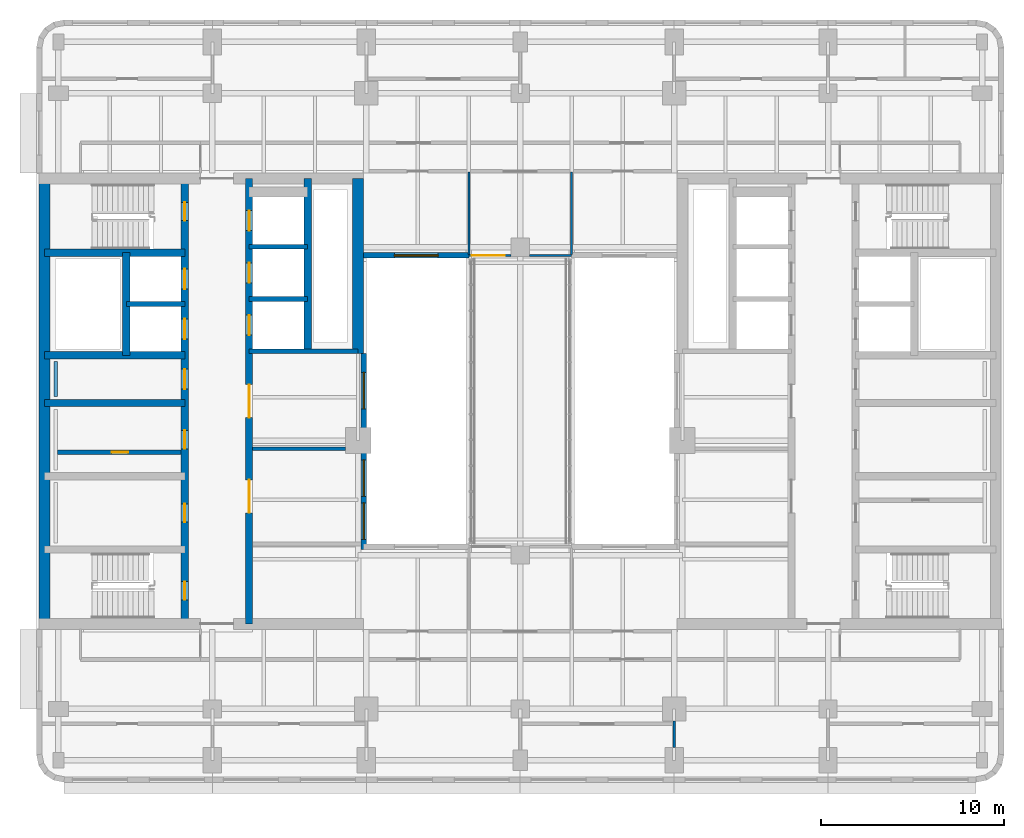
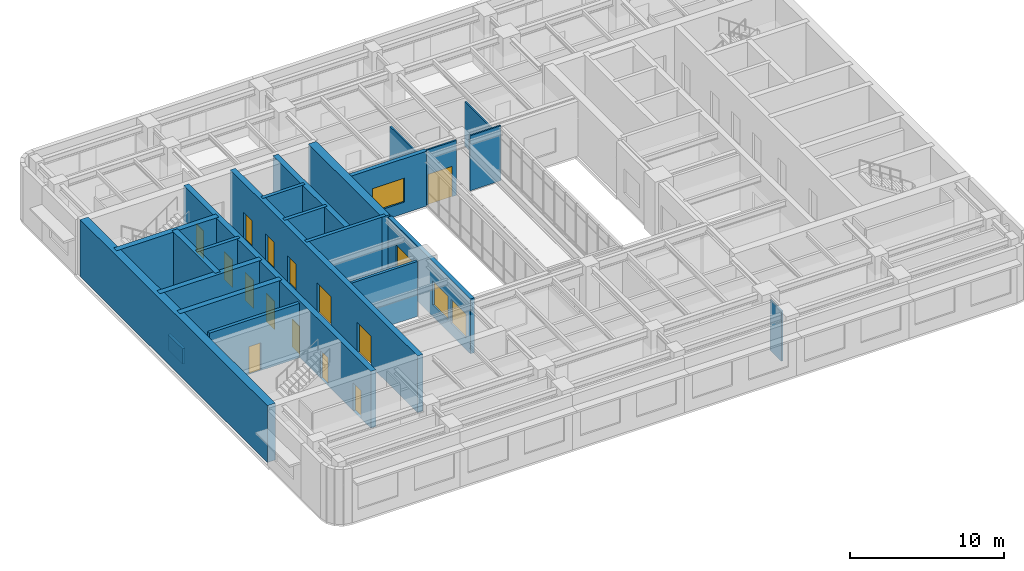
# One storey, part 7 of 14: 23 walls, 14 doors, 4 windows, 18 openings.
"""IFC4 building model written with IfcOpenShell, lengths in metres."""

from ifc_helpers import new_model, si_unit, direction, frame, frame_2d, origin, place, context, subcontext, project, spatial, rectangle, extrude, material, layer, layer_set, type_object, element, fill, save


model = new_model("IFC4")

# Units and contexts
model_context = context("Model", 3, precision=1e-05, world=origin(), true_north=direction((0.0, 1.0)))
body_context = subcontext(model_context, "Body", "Model", "MODEL_VIEW")
ifc_project = project(units=[si_unit("LENGTHUNIT", "METRE"), si_unit("AREAUNIT", "SQUARE_METRE"), si_unit("VOLUMEUNIT", "CUBIC_METRE"), si_unit("PLANEANGLEUNIT", "RADIAN"), si_unit("MASSUNIT", "GRAM", prefix="KILO")], contexts=[model_context])

# Site, building, storey
site_placement = place(None, origin())
site = spatial("IfcSite", under=ifc_project, at=site_placement, CompositionType="ELEMENT")
building_placement = place(site_placement, origin())
building = spatial("IfcBuilding", under=site, at=building_placement, Name="Claustro Exchange Tower", CompositionType="ELEMENT")
storey_placement = place(building_placement, frame((0.0, 0.0, 250.199951171875)))
storey = spatial("IfcBuildingStorey", under=building, at=storey_placement, Name="L57", CompositionType="ELEMENT", Elevation=250.199951171875)

# Wall, opening, door
ifc_material_1 = material(Name="Aluminium frame, clear double glazing", Category="aluminium")
ifc_layer_1 = layer(ifc_material_1, 0.1201171875)
ifc_layer_set_1 = layer_set([ifc_layer_1], Name="Aluminium frame, clear double glazing")
wall_type_1 = type_object("IfcWallType", Name="GS2 120 glazed bridge screen", PredefinedType="SOLIDWALL", material=ifc_layer_set_1)
wall_1_placement = place(storey_placement, frame((22.39990234375, 33.14990234375, 0.0), z_axis=(0.0, 0.0, 1.0), x_axis=(1.0, 0.0, 0.0)))
wall_1 = element("IfcWall", 1, at=wall_1_placement, inside=storey, type_object=wall_type_1, Name="Bridge screen GS2 L57", PredefinedType="SOLIDWALL", context=body_context, shape_type="SweptSolid", body=[
    extrude(rectangle(XDim=2.300048828125, YDim=0.1201171875, at=frame_2d((1.14990234375, 0.0))), origin(), (0.0, 0.0, 1.0), 4.35009765625),
])
opening_1_placement = place(wall_1_placement, frame((0.14990234375, 0.0, 0.0)))
opening_1 = element("IfcOpeningElement", 2, at=opening_1_placement, cuts=wall_1, Name="Opening DE4", PredefinedType="OPENING", context=body_context, shape_type="SweptSolid", body=[
    extrude(rectangle(XDim=1.800048828125, YDim=2.39990234375, at=frame_2d((0.89990234375, 1.199951171875))), frame((0.0, 0.070068359375, 0.0), z_axis=(0.0, -1.0, 0.0), x_axis=(1.0, 0.0, 0.0)), (0.0, 0.0, 1.0), 0.14013671875),
])
ifc_material_2 = material(Name="Aluminium frame, clear double glazing", Category="aluminium")
door_type_1 = type_object("IfcDoorType", Name="DE4 1800 x 2400 sky bridge glazed double door", OperationType="DOUBLE_DOOR_SINGLE_SWING", PredefinedType="DOOR", material=ifc_material_2)
door_1_placement = place(opening_1_placement, origin())
door_1 = element("IfcDoor", 3, at=door_1_placement, inside=storey, type_object=door_type_1, Name="Sky bridge door DE4 L57", OperationType="DOUBLE_DOOR_SINGLE_SWING", OverallHeight=2.39990234375, OverallWidth=1.800048828125, PredefinedType="DOOR", context=body_context, shape_type="SweptSolid", body=[
    extrude(rectangle(XDim=1.800048828125, YDim=2.39990234375, at=frame_2d((0.89990234375, 1.199951171875))), frame((0.0, 0.02490234375, 0.0), z_axis=(0.0, -1.0, 0.0), x_axis=(1.0, 0.0, 0.0)), (0.0, 0.0, 1.0), 0.050048828125),
])
fill(opening_1, door_1)

# Walls
wall_2_placement = place(storey_placement, frame((25.699951171875, 33.14990234375, 0.0), z_axis=(0.0, 0.0, 1.0), x_axis=(1.0, 0.0, 0.0)))
element("IfcWall", 4, at=wall_2_placement, inside=storey, type_object=wall_type_1, Name="Bridge screen GS2 L57", PredefinedType="SOLIDWALL", context=body_context, shape_type="SweptSolid", body=[
    extrude(rectangle(XDim=2.300048828125, YDim=0.1201171875, at=frame_2d((1.14990234375, 0.0))), origin(), (0.0, 0.0, 1.0), 4.35009765625),
])
ifc_material_3 = material(Name="Laminated glass in aluminium frame", Category="aluminium")
ifc_layer_2 = layer(ifc_material_3, 0.1201171875)
ifc_layer_set_2 = layer_set([ifc_layer_2], Name="Laminated glass in aluminium frame")
wall_type_2 = type_object("IfcWallType", Name="P2 120 glazed partition", PredefinedType="PARTITIONING", material=ifc_layer_set_2)
wall_3_placement = place(storey_placement, frame((33.60009765625, 6.299072265625, 0.0), z_axis=(0.0, 0.0, 1.0), x_axis=(0.0, 1.0, 0.0)))
element("IfcWall", 5, at=wall_3_placement, inside=storey, type_object=wall_type_2, Name="Partition P2 L57", PredefinedType="PARTITIONING", context=body_context, shape_type="SweptSolid", body=[
    extrude(rectangle(XDim=1.452880859375, YDim=0.1201171875, at=frame_2d((0.7265625, 0.0))), origin(), (0.0, 0.0, 1.0), 3.989990234375),
])
for number, where, z_axis, x_axis, name in (
    (6, (22.39990234375, 33.2080078125, 0.0), (0.0, 0.0, 1.0), (0.0, 1.0, 0.0), "Partition P2 L57"),
    (7, (28.0, 33.2080078125, 0.0), (0.0, 0.0, 1.0), (0.0, 1.0, 0.0), "Partition P2 L57"),
):
    element("IfcWall", number, at=place(storey_placement, frame(where, z_axis=z_axis, x_axis=x_axis)), inside=storey, type_object=wall_type_2, Name=name, PredefinedType="PARTITIONING", context=body_context, shape_type="SweptSolid", body=[
        extrude(rectangle(XDim=4.493896484375, YDim=0.1201171875, at=frame_2d((2.2470703125, 0.0))), origin(), (0.0, 0.0, 1.0), 3.5),
    ])
ifc_material_4 = material(Name="Twin-skin gypsum board on steel studs, mineral wool", Category="steel")
ifc_layer_3 = layer(ifc_material_4, 0.199951171875)
ifc_layer_set_3 = layer_set([ifc_layer_3], Name="Twin-skin gypsum board on steel studs, mineral wool")
wall_type_3 = type_object("IfcWallType", Name="P3 200 acoustic partition", PredefinedType="PARTITIONING", material=ifc_layer_set_3)
wall_4_placement = place(storey_placement, frame((10.597900390625, 22.60009765625, 0.0), z_axis=(0.0, 0.0, 1.0), x_axis=(1.0, 0.0, 0.0)))
element("IfcWall", 8, at=wall_4_placement, inside=storey, type_object=wall_type_3, Name="Partition P3 L57", PredefinedType="PARTITIONING", context=body_context, shape_type="SweptSolid", body=[
    extrude(rectangle(XDim=5.052978515625, YDim=0.199951171875, at=frame_2d((2.5263671875, 0.0))), origin(), (0.0, 0.0, 1.0), 4.35009765625),
])

# Wall, opening, door
ifc_material_5 = material(Name="Concrete blockwork, rendered", Category="masonry")
ifc_layer_4 = layer(ifc_material_5, 0.25)
ifc_layer_set_4 = layer_set([ifc_layer_4], Name="Concrete blockwork, rendered")
wall_type_4 = type_object("IfcWallType", Name="P4 250 blockwork wall", PredefinedType="PARTITIONING", material=ifc_layer_set_4)
wall_5_placement = place(storey_placement, frame((-0.050048828125, 22.39990234375, 0.0), z_axis=(0.0, 0.0, 1.0), x_axis=(1.0, 0.0, 0.0)))
wall_5 = element("IfcWall", 9, at=wall_5_placement, inside=storey, type_object=wall_type_4, Name="Partition P4 L57", PredefinedType="PARTITIONING", context=body_context, shape_type="SweptSolid", body=[
    extrude(rectangle(XDim=6.75, YDim=0.25, at=frame_2d((3.375, 0.0))), origin(), (0.0, 0.0, 1.0), 4.300048828125),
])
opening_2_placement = place(wall_5_placement, frame((2.949951171875, 0.0, 0.0)))
opening_2 = element("IfcOpeningElement", 10, at=opening_2_placement, cuts=wall_5, Name="Opening D5", PredefinedType="OPENING", context=body_context, shape_type="SweptSolid", body=[
    extrude(rectangle(XDim=0.89990234375, YDim=2.199951171875, at=frame_2d((0.449951171875, 1.10009765625))), frame((0.0, 0.135009765625, 0.0), z_axis=(0.0, -1.0, 0.0), x_axis=(1.0, 0.0, 0.0)), (0.0, 0.0, 1.0), 0.27001953125),
])
ifc_material_6 = material(Name="Steel door, painted", Category="steel")
door_type_2 = type_object("IfcDoorType", Name="D5 900 x 2200 store door", OperationType="SINGLE_SWING_LEFT", PredefinedType="DOOR", material=ifc_material_6)
door_2_placement = place(opening_2_placement, frame((0.89990234375, 0.0, 0.0), z_axis=(0.0, 0.0, 1.0), x_axis=(-1.0, 0.0, 0.0)))
door_2 = element("IfcDoor", 11, at=door_2_placement, inside=storey, type_object=door_type_2, Name="Store door D5 L57", OperationType="SINGLE_SWING_LEFT", OverallHeight=2.199951171875, OverallWidth=0.89990234375, PredefinedType="DOOR", context=body_context, shape_type="SweptSolid", body=[
    extrude(rectangle(XDim=0.89990234375, YDim=2.199951171875, at=frame_2d((0.449951171875, 1.10009765625))), frame((0.0, 0.02490234375, 0.0), z_axis=(0.0, -1.0, 0.0), x_axis=(1.0, 0.0, 0.0)), (0.0, 0.0, 1.0), 0.050048828125),
])
fill(opening_2, door_2)

# Wall, openings, windows
ifc_material_7 = material(Name="Concrete HA-40 (C40/50), precast, white cement, acid-etched", Category="concrete")
ifc_layer_5 = layer(ifc_material_7, 0.300048828125)
ifc_layer_set_5 = layer_set([ifc_layer_5], Name="Concrete HA-40 (C40/50), precast, white cement, acid-etched")
wall_type_5 = type_object("IfcWallType", Name="PC1 300 precast concrete pier panel", PredefinedType="SOLIDWALL", material=ifc_layer_set_5)
wall_6_placement = place(storey_placement, frame((16.64990234375, 17.10009765625, 0.0), z_axis=(0.0, 0.0, 1.0), x_axis=(0.0, 1.0, 0.0)))
wall_6 = element("IfcWall", 12, at=wall_6_placement, inside=storey, type_object=wall_type_5, Name="Precast pier panel PC1 L57", PredefinedType="SOLIDWALL", context=body_context, shape_type="SweptSolid", body=[
    extrude(rectangle(XDim=10.699951171875, YDim=0.300048828125, at=frame_2d((5.35009765625, 0.0))), origin(), (0.0, 0.0, 1.0), 4.35009765625),
])
opening_3_placement = place(wall_6_placement, frame((0.550048828125, 0.0, 0.89990234375)))
opening_3 = element("IfcOpeningElement", 13, at=opening_3_placement, cuts=wall_6, Name="Opening W4", PredefinedType="OPENING", context=body_context, shape_type="SweptSolid", body=[
    extrude(rectangle(XDim=2.0, YDim=1.89990234375, at=frame_2d((1.0, 0.949951171875))), frame((0.0, 0.159912109375, 0.0), z_axis=(0.0, -1.0, 0.0), x_axis=(1.0, 0.0, 0.0)), (0.0, 0.0, 1.0), 0.320068359375),
])
opening_4_placement = place(wall_6_placement, frame((2.89990234375, 0.0, 0.89990234375)))
opening_4 = element("IfcOpeningElement", 14, at=opening_4_placement, cuts=wall_6, Name="Opening W4", PredefinedType="OPENING", context=body_context, shape_type="SweptSolid", body=[
    extrude(rectangle(XDim=2.0, YDim=1.89990234375, at=frame_2d((1.0, 0.949951171875))), frame((0.0, 0.159912109375, 0.0), z_axis=(0.0, -1.0, 0.0), x_axis=(1.0, 0.0, 0.0)), (0.0, 0.0, 1.0), 0.320068359375),
])
opening_5_placement = place(wall_6_placement, frame((7.675048828125, 0.0, 0.89990234375)))
opening_5 = element("IfcOpeningElement", 15, at=opening_5_placement, cuts=wall_6, Name="Opening W4", PredefinedType="OPENING", context=body_context, shape_type="SweptSolid", body=[
    extrude(rectangle(XDim=2.0, YDim=1.89990234375, at=frame_2d((1.0, 0.949951171875))), frame((0.0, 0.159912109375, 0.0), z_axis=(0.0, -1.0, 0.0), x_axis=(1.0, 0.0, 0.0)), (0.0, 0.0, 1.0), 0.320068359375),
])
ifc_material_8 = material(Name="Aluminium frame, clear double glazing", Category="aluminium")
window_type_1 = type_object("IfcWindowType", Name="W4 2000 x 1900 light well window", PartitioningType="SINGLE_PANEL", PredefinedType="WINDOW", material=ifc_material_8)
window_1_placement = place(opening_3_placement, origin())
window_1 = element("IfcWindow", 16, at=window_1_placement, inside=storey, type_object=window_type_1, Name="Window W4 L57", OverallHeight=1.89990234375, OverallWidth=2.0, PartitioningType="SINGLE_PANEL", PredefinedType="WINDOW", context=body_context, shape_type="SweptSolid", body=[
    extrude(rectangle(XDim=2.0, YDim=1.89990234375, at=frame_2d((1.0, 0.949951171875))), frame((0.0, 0.030029296875, 0.0), z_axis=(0.0, -1.0, 0.0), x_axis=(1.0, 0.0, 0.0)), (0.0, 0.0, 1.0), 0.06005859375),
])
fill(opening_3, window_1)
window_2_placement = place(opening_4_placement, origin())
window_2 = element("IfcWindow", 17, at=window_2_placement, inside=storey, type_object=window_type_1, Name="Window W4 L57", OverallHeight=1.89990234375, OverallWidth=2.0, PartitioningType="SINGLE_PANEL", PredefinedType="WINDOW", context=body_context, shape_type="SweptSolid", body=[
    extrude(rectangle(XDim=2.0, YDim=1.89990234375, at=frame_2d((1.0, 0.949951171875))), frame((0.0, 0.030029296875, 0.0), z_axis=(0.0, -1.0, 0.0), x_axis=(1.0, 0.0, 0.0)), (0.0, 0.0, 1.0), 0.06005859375),
])
fill(opening_4, window_2)
window_3_placement = place(opening_5_placement, origin())
window_3 = element("IfcWindow", 18, at=window_3_placement, inside=storey, type_object=window_type_1, Name="Window W4 L57", OverallHeight=1.89990234375, OverallWidth=2.0, PartitioningType="SINGLE_PANEL", PredefinedType="WINDOW", context=body_context, shape_type="SweptSolid", body=[
    extrude(rectangle(XDim=2.0, YDim=1.89990234375, at=frame_2d((1.0, 0.949951171875))), frame((0.0, 0.030029296875, 0.0), z_axis=(0.0, -1.0, 0.0), x_axis=(1.0, 0.0, 0.0)), (0.0, 0.0, 1.0), 0.06005859375),
])
fill(opening_5, window_3)

# Wall, opening, window
wall_7_placement = place(storey_placement, frame((16.64990234375, 33.14990234375, 0.0), z_axis=(0.0, 0.0, 1.0), x_axis=(1.0, 0.0, 0.0)))
wall_7 = element("IfcWall", 19, at=wall_7_placement, inside=storey, type_object=wall_type_5, Name="Precast pier panel PC1 L57", PredefinedType="SOLIDWALL", context=body_context, shape_type="SweptSolid", body=[
    extrude(rectangle(XDim=5.75, YDim=0.300048828125, at=frame_2d((2.875, 0.0))), origin(), (0.0, 0.0, 1.0), 4.35009765625),
])
opening_6_placement = place(wall_7_placement, frame((1.675048828125, 0.0, 0.89990234375)))
opening_6 = element("IfcOpeningElement", 20, at=opening_6_placement, cuts=wall_7, Name="Opening W2", PredefinedType="OPENING", context=body_context, shape_type="SweptSolid", body=[
    extrude(rectangle(XDim=2.39990234375, YDim=1.89990234375, at=frame_2d((1.199951171875, 0.949951171875))), frame((0.0, 0.159912109375, 0.0), z_axis=(0.0, -1.0, 0.0), x_axis=(1.0, 0.0, 0.0)), (0.0, 0.0, 1.0), 0.320068359375),
])
ifc_material_9 = material(Name="Aluminium frame, clear double glazing", Category="aluminium")
window_type_2 = type_object("IfcWindowType", Name="W2 2400 x 1900 window", PartitioningType="SINGLE_PANEL", PredefinedType="WINDOW", material=ifc_material_9)
window_4_placement = place(opening_6_placement, origin())
window_4 = element("IfcWindow", 21, at=window_4_placement, inside=storey, type_object=window_type_2, Name="Window W2 L57", OverallHeight=1.89990234375, OverallWidth=2.39990234375, PartitioningType="SINGLE_PANEL", PredefinedType="WINDOW", context=body_context, shape_type="SweptSolid", body=[
    extrude(rectangle(XDim=2.39990234375, YDim=1.89990234375, at=frame_2d((1.199951171875, 0.949951171875))), frame((0.0, 0.030029296875, 0.0), z_axis=(0.0, -1.0, 0.0), x_axis=(1.0, 0.0, 0.0)), (0.0, 0.0, 1.0), 0.06005859375),
])
fill(opening_6, window_4)

# Walls
ifc_material_10 = material(Name="Gypsum board on steel studs, tiled", Category="steel")
ifc_layer_6 = layer(ifc_material_10, 0.199951171875)
ifc_layer_set_6 = layer_set([ifc_layer_6], Name="Gypsum board on steel studs, tiled")
wall_type_6 = type_object("IfcWallType", Name="PW1 200 WC duct wall", PredefinedType="PLUMBINGWALL", material=ifc_layer_set_6)
wall_8_placement = place(storey_placement, frame((-0.14990234375, 25.449951171875, 0.0), z_axis=(0.0, 0.0, 1.0), x_axis=(0.0, 1.0, 0.0)))
element("IfcWall", 22, at=wall_8_placement, inside=storey, type_object=wall_type_6, Name="WC duct wall PW1 L57", PredefinedType="PLUMBINGWALL", context=body_context, shape_type="SweptSolid", body=[
    extrude(rectangle(XDim=1.900146484375, YDim=0.199951171875, at=frame_2d((0.9501953125, 0.0))), origin(), (0.0, 0.0, 1.0), 1.199951171875),
])
ifc_material_11 = material(Name="Concrete HA-50 (C50/60)", Category="concrete")
ifc_layer_7 = layer(ifc_material_11, 0.60009765625)
ifc_layer_set_7 = layer_set([ifc_layer_7], Name="Concrete HA-50 (C50/60)")
wall_type_7 = type_object("IfcWallType", Name="SW3X 600 exposed core shear wall, board-marked face", PredefinedType="SHEAR", material=ifc_layer_set_7)
wall_9_placement = place(storey_placement, frame((-0.75, 13.050048828125, 0.0), z_axis=(0.0, 0.0, 1.0), x_axis=(0.0, 1.0, 0.0)))
element("IfcWall", 23, at=wall_9_placement, inside=storey, type_object=wall_type_7, Name="Core wall SW3X W core W face L57", PredefinedType="SHEAR", context=body_context, shape_type="SweptSolid", body=[
    extrude(rectangle(XDim=24.300048828125, YDim=0.60009765625, at=frame_2d((12.14990234375, 0.0))), origin(), (0.0, 0.0, 1.0), 4.5),
])
wall_10_placement = place(storey_placement, frame((16.35009765625, 27.800048828125, 0.0), z_axis=(0.0, 0.0, 1.0), x_axis=(0.0, 1.0, 0.0)))
element("IfcWall", 24, at=wall_10_placement, inside=storey, type_object=wall_type_7, Name="Core wall SW3X W core E face L57", PredefinedType="SHEAR", context=body_context, shape_type="SweptSolid", body=[
    extrude(rectangle(XDim=9.550048828125, YDim=0.60009765625, at=frame_2d((4.77490234375, 0.0))), origin(), (0.0, 0.0, 1.0), 4.5),
])

# Wall, openings, doors
ifc_material_12 = material(Name="Concrete HA-50 (C50/60)", Category="concrete")
ifc_layer_8 = layer(ifc_material_12, 0.39990234375)
ifc_layer_set_8 = layer_set([ifc_layer_8], Name="Concrete HA-50 (C50/60)")
wall_type_8 = type_object("IfcWallType", Name="SW4 400 internal core wall", PredefinedType="SHEAR", material=ifc_layer_set_8)
wall_11_placement = place(storey_placement, frame((6.89990234375, 13.050048828125, 0.0), z_axis=(0.0, 0.0, 1.0), x_axis=(0.0, 1.0, 0.0)))
wall_11 = element("IfcWall", 25, at=wall_11_placement, inside=storey, type_object=wall_type_8, Name="Internal core wall SW4 W core L57", PredefinedType="SHEAR", context=body_context, shape_type="SweptSolid", body=[
    extrude(rectangle(XDim=24.300048828125, YDim=0.39990234375, at=frame_2d((12.14990234375, 0.0))), origin(), (0.0, 0.0, 1.0), 4.5),
])
opening_7_placement = place(wall_11_placement, frame((1.300048828125, 0.0, 0.0)))
opening_7 = element("IfcOpeningElement", 26, at=opening_7_placement, cuts=wall_11, Name="Opening D4", PredefinedType="OPENING", context=body_context, shape_type="SweptSolid", body=[
    extrude(rectangle(XDim=1.0, YDim=2.199951171875, at=frame_2d((0.5, 1.10009765625))), frame((0.0, 0.2099609375, 0.0), z_axis=(0.0, -1.0, 0.0), x_axis=(1.0, 0.0, 0.0)), (0.0, 0.0, 1.0), 0.419921875),
])
opening_8_placement = place(wall_11_placement, frame((22.0, 0.0, 0.0)))
opening_8 = element("IfcOpeningElement", 27, at=opening_8_placement, cuts=wall_11, Name="Opening D4", PredefinedType="OPENING", context=body_context, shape_type="SweptSolid", body=[
    extrude(rectangle(XDim=1.0, YDim=2.199951171875, at=frame_2d((0.5, 1.10009765625))), frame((0.0, 0.2099609375, 0.0), z_axis=(0.0, -1.0, 0.0), x_axis=(1.0, 0.0, 0.0)), (0.0, 0.0, 1.0), 0.419921875),
])
opening_9_placement = place(wall_11_placement, frame((5.550048828125, 0.0, 0.0)))
opening_9 = element("IfcOpeningElement", 28, at=opening_9_placement, cuts=wall_11, Name="Opening D1", PredefinedType="OPENING", context=body_context, shape_type="SweptSolid", body=[
    extrude(rectangle(XDim=1.0, YDim=2.199951171875, at=frame_2d((0.5, 1.10009765625))), frame((0.0, 0.2099609375, 0.0), z_axis=(0.0, -1.0, 0.0), x_axis=(1.0, 0.0, 0.0)), (0.0, 0.0, 1.0), 0.419921875),
])
opening_10_placement = place(wall_11_placement, frame((9.550048828125, 0.0, 0.0)))
opening_10 = element("IfcOpeningElement", 29, at=opening_10_placement, cuts=wall_11, Name="Opening D1", PredefinedType="OPENING", context=body_context, shape_type="SweptSolid", body=[
    extrude(rectangle(XDim=1.0, YDim=2.199951171875, at=frame_2d((0.5, 1.10009765625))), frame((0.0, 0.2099609375, 0.0), z_axis=(0.0, -1.0, 0.0), x_axis=(1.0, 0.0, 0.0)), (0.0, 0.0, 1.0), 0.419921875),
])
opening_11_placement = place(wall_11_placement, frame((12.800048828125, 0.0, 0.0)))
opening_11 = element("IfcOpeningElement", 30, at=opening_11_placement, cuts=wall_11, Name="Opening D10", PredefinedType="OPENING", context=body_context, shape_type="SweptSolid", body=[
    extrude(rectangle(XDim=1.10009765625, YDim=2.199951171875, at=frame_2d((0.550048828125, 1.10009765625))), frame((0.0, 0.2099609375, 0.0), z_axis=(0.0, -1.0, 0.0), x_axis=(1.0, 0.0, 0.0)), (0.0, 0.0, 1.0), 0.419921875),
])
opening_12_placement = place(wall_11_placement, frame((15.53759765625, 0.0, 0.0)))
opening_12 = element("IfcOpeningElement", 31, at=opening_12_placement, cuts=wall_11, Name="Opening LD", PredefinedType="OPENING", context=body_context, shape_type="SweptSolid", body=[
    extrude(rectangle(XDim=1.10009765625, YDim=2.199951171875, at=frame_2d((0.550048828125, 1.10009765625))), frame((0.0, 0.2099609375, 0.0), z_axis=(0.0, -1.0, 0.0), x_axis=(1.0, 0.0, 0.0)), (0.0, 0.0, 1.0), 0.419921875),
])
opening_13_placement = place(wall_11_placement, frame((18.262451171875, 0.0, 0.0)))
opening_13 = element("IfcOpeningElement", 32, at=opening_13_placement, cuts=wall_11, Name="Opening LD", PredefinedType="OPENING", context=body_context, shape_type="SweptSolid", body=[
    extrude(rectangle(XDim=1.10009765625, YDim=2.199951171875, at=frame_2d((0.550048828125, 1.10009765625))), frame((0.0, 0.2099609375, 0.0), z_axis=(0.0, -1.0, 0.0), x_axis=(1.0, 0.0, 0.0)), (0.0, 0.0, 1.0), 0.419921875),
])
ifc_material_13 = material(Name="Timber door, oak veneer", Category="wood")
door_type_3 = type_object("IfcDoorType", Name="D1 1000 x 2200 single door", OperationType="SINGLE_SWING_LEFT", PredefinedType="DOOR", material=ifc_material_13)
door_3_placement = place(opening_9_placement, origin())
door_3 = element("IfcDoor", 33, at=door_3_placement, inside=storey, type_object=door_type_3, Name="Door D1 L57", OperationType="SINGLE_SWING_RIGHT", OverallHeight=2.199951171875, OverallWidth=1.0, PredefinedType="DOOR", context=body_context, shape_type="SweptSolid", body=[
    extrude(rectangle(XDim=1.0, YDim=2.199951171875, at=frame_2d((0.5, 1.10009765625))), frame((0.0, 0.02490234375, 0.0), z_axis=(0.0, -1.0, 0.0), x_axis=(1.0, 0.0, 0.0)), (0.0, 0.0, 1.0), 0.050048828125),
])
fill(opening_9, door_3)
door_4_placement = place(opening_10_placement, origin())
door_4 = element("IfcDoor", 34, at=door_4_placement, inside=storey, type_object=door_type_3, Name="Door D1 L57", OperationType="SINGLE_SWING_LEFT", OverallHeight=2.199951171875, OverallWidth=1.0, PredefinedType="DOOR", context=body_context, shape_type="SweptSolid", body=[
    extrude(rectangle(XDim=1.0, YDim=2.199951171875, at=frame_2d((0.5, 1.10009765625))), frame((0.0, 0.02490234375, 0.0), z_axis=(0.0, -1.0, 0.0), x_axis=(1.0, 0.0, 0.0)), (0.0, 0.0, 1.0), 0.050048828125),
])
fill(opening_10, door_4)
ifc_material_14 = material(Name="Timber door, oak veneer", Category="wood")
door_type_4 = type_object("IfcDoorType", Name="D10 1100 x 2200 accessible WC door", OperationType="SINGLE_SWING_LEFT", PredefinedType="DOOR", material=ifc_material_14)
door_5_placement = place(opening_11_placement, frame((1.10009765625, 0.0, 0.0), z_axis=(0.0, 0.0, 1.0), x_axis=(-1.0, 0.0, 0.0)))
door_5 = element("IfcDoor", 35, at=door_5_placement, inside=storey, type_object=door_type_4, Name="Accessible WC door D10 L57", OperationType="SINGLE_SWING_LEFT", OverallHeight=2.199951171875, OverallWidth=1.10009765625, PredefinedType="DOOR", context=body_context, shape_type="SweptSolid", body=[
    extrude(rectangle(XDim=1.10009765625, YDim=2.199951171875, at=frame_2d((0.550048828125, 1.10009765625))), frame((0.0, 0.02490234375, 0.0), z_axis=(0.0, -1.0, 0.0), x_axis=(1.0, 0.0, 0.0)), (0.0, 0.0, 1.0), 0.050048828125),
])
fill(opening_11, door_5)
ifc_material_15 = material(Name="Steel fire door, painted", Category="steel")
door_type_5 = type_object("IfcDoorType", Name="D4 1000 x 2200 fire-rated stair door", OperationType="SINGLE_SWING_LEFT", PredefinedType="DOOR", material=ifc_material_15)
door_6_placement = place(opening_7_placement, origin())
door_6 = element("IfcDoor", 36, at=door_6_placement, inside=storey, type_object=door_type_5, Name="Stair door D4 L57", OperationType="SINGLE_SWING_LEFT", OverallHeight=2.199951171875, OverallWidth=1.0, PredefinedType="DOOR", context=body_context, shape_type="SweptSolid", body=[
    extrude(rectangle(XDim=1.0, YDim=2.199951171875, at=frame_2d((0.5, 1.10009765625))), frame((0.0, 0.02490234375, 0.0), z_axis=(0.0, -1.0, 0.0), x_axis=(1.0, 0.0, 0.0)), (0.0, 0.0, 1.0), 0.050048828125),
])
fill(opening_7, door_6)
door_7_placement = place(opening_8_placement, origin())
door_7 = element("IfcDoor", 37, at=door_7_placement, inside=storey, type_object=door_type_5, Name="Stair door D4 L57", OperationType="SINGLE_SWING_RIGHT", OverallHeight=2.199951171875, OverallWidth=1.0, PredefinedType="DOOR", context=body_context, shape_type="SweptSolid", body=[
    extrude(rectangle(XDim=1.0, YDim=2.199951171875, at=frame_2d((0.5, 1.10009765625))), frame((0.0, 0.02490234375, 0.0), z_axis=(0.0, -1.0, 0.0), x_axis=(1.0, 0.0, 0.0)), (0.0, 0.0, 1.0), 0.050048828125),
])
fill(opening_8, door_7)
ifc_material_16 = material(Name="Stainless steel sliding door", Category="steel")
door_type_6 = type_object("IfcDoorType", Name="LD 1100 x 2200 lift landing door", OperationType="DOUBLE_DOOR_SLIDING", PredefinedType="DOOR", material=ifc_material_16)
door_8_placement = place(opening_12_placement, origin())
door_8 = element("IfcDoor", 38, at=door_8_placement, inside=storey, type_object=door_type_6, Name="Lift landing door LEW1 LD L57", OperationType="DOUBLE_DOOR_SLIDING", OverallHeight=2.199951171875, OverallWidth=1.10009765625, PredefinedType="DOOR", context=body_context, shape_type="SweptSolid", body=[
    extrude(rectangle(XDim=1.10009765625, YDim=2.199951171875, at=frame_2d((0.550048828125, 1.10009765625))), frame((0.0, 0.02490234375, 0.0), z_axis=(0.0, -1.0, 0.0), x_axis=(1.0, 0.0, 0.0)), (0.0, 0.0, 1.0), 0.050048828125),
])
fill(opening_12, door_8)
door_9_placement = place(opening_13_placement, origin())
door_9 = element("IfcDoor", 39, at=door_9_placement, inside=storey, type_object=door_type_6, Name="Lift landing door LEW2 LD L57", OperationType="DOUBLE_DOOR_SLIDING", OverallHeight=2.199951171875, OverallWidth=1.10009765625, PredefinedType="DOOR", context=body_context, shape_type="SweptSolid", body=[
    extrude(rectangle(XDim=1.10009765625, YDim=2.199951171875, at=frame_2d((0.550048828125, 1.10009765625))), frame((0.0, 0.02490234375, 0.0), z_axis=(0.0, -1.0, 0.0), x_axis=(1.0, 0.0, 0.0)), (0.0, 0.0, 1.0), 0.050048828125),
])
fill(opening_13, door_9)

wall_12_placement = place(storey_placement, frame((10.39990234375, 13.050048828125, 0.0), z_axis=(0.0, 0.0, 1.0), x_axis=(0.0, 1.0, 0.0)))
wall_12 = element("IfcWall", 40, at=wall_12_placement, inside=storey, type_object=wall_type_8, Name="Internal core wall SW4 W core L57", PredefinedType="SHEAR", context=body_context, shape_type="SweptSolid", body=[
    extrude(rectangle(XDim=24.300048828125, YDim=0.39990234375, at=frame_2d((12.14990234375, 0.0))), origin(), (0.0, 0.0, 1.0), 4.5),
])
opening_14_placement = place(wall_12_placement, frame((15.75, 0.0, 0.0)))
opening_14 = element("IfcOpeningElement", 41, at=opening_14_placement, cuts=wall_12, Name="Opening LD", PredefinedType="OPENING", context=body_context, shape_type="SweptSolid", body=[
    extrude(rectangle(XDim=1.10009765625, YDim=2.199951171875, at=frame_2d((0.550048828125, 1.10009765625))), frame((0.0, 0.2099609375, 0.0), z_axis=(0.0, -1.0, 0.0), x_axis=(1.0, 0.0, 0.0)), (0.0, 0.0, 1.0), 0.419921875),
])
opening_15_placement = place(wall_12_placement, frame((18.60009765625, 0.0, 0.0)))
opening_15 = element("IfcOpeningElement", 42, at=opening_15_placement, cuts=wall_12, Name="Opening LD", PredefinedType="OPENING", context=body_context, shape_type="SweptSolid", body=[
    extrude(rectangle(XDim=1.10009765625, YDim=2.199951171875, at=frame_2d((0.550048828125, 1.10009765625))), frame((0.0, 0.2099609375, 0.0), z_axis=(0.0, -1.0, 0.0), x_axis=(1.0, 0.0, 0.0)), (0.0, 0.0, 1.0), 0.419921875),
])
opening_16_placement = place(wall_12_placement, frame((21.449951171875, 0.0, 0.0)))
opening_16 = element("IfcOpeningElement", 43, at=opening_16_placement, cuts=wall_12, Name="Opening LD", PredefinedType="OPENING", context=body_context, shape_type="SweptSolid", body=[
    extrude(rectangle(XDim=1.10009765625, YDim=2.199951171875, at=frame_2d((0.550048828125, 1.10009765625))), frame((0.0, 0.2099609375, 0.0), z_axis=(0.0, -1.0, 0.0), x_axis=(1.0, 0.0, 0.0)), (0.0, 0.0, 1.0), 0.419921875),
])
opening_17_placement = place(wall_12_placement, frame((6.050048828125, 0.0, 0.0)))
opening_17 = element("IfcOpeningElement", 44, at=opening_17_placement, cuts=wall_12, Name="Opening D3", PredefinedType="OPENING", context=body_context, shape_type="SweptSolid", body=[
    extrude(rectangle(XDim=1.800048828125, YDim=2.39990234375, at=frame_2d((0.89990234375, 1.199951171875))), frame((0.0, 0.2099609375, 0.0), z_axis=(0.0, -1.0, 0.0), x_axis=(1.0, 0.0, 0.0)), (0.0, 0.0, 1.0), 0.419921875),
])
opening_18_placement = place(wall_12_placement, frame((11.25, 0.0, 0.0)))
opening_18 = element("IfcOpeningElement", 45, at=opening_18_placement, cuts=wall_12, Name="Opening D3", PredefinedType="OPENING", context=body_context, shape_type="SweptSolid", body=[
    extrude(rectangle(XDim=1.800048828125, YDim=2.39990234375, at=frame_2d((0.89990234375, 1.199951171875))), frame((0.0, 0.2099609375, 0.0), z_axis=(0.0, -1.0, 0.0), x_axis=(1.0, 0.0, 0.0)), (0.0, 0.0, 1.0), 0.419921875),
])
ifc_material_17 = material(Name="Steel fire door, painted", Category="steel")
door_type_7 = type_object("IfcDoorType", Name="D3 1800 x 2400 fire-rated lobby double door", OperationType="DOUBLE_DOOR_SINGLE_SWING", PredefinedType="DOOR", material=ifc_material_17)
door_10_placement = place(opening_17_placement, frame((1.800048828125, 0.0, 0.0), z_axis=(0.0, 0.0, 1.0), x_axis=(-1.0, 0.0, 0.0)))
door_10 = element("IfcDoor", 46, at=door_10_placement, inside=storey, type_object=door_type_7, Name="Core zone door D3 L57", OperationType="DOUBLE_DOOR_SINGLE_SWING", OverallHeight=2.39990234375, OverallWidth=1.800048828125, PredefinedType="DOOR", context=body_context, shape_type="SweptSolid", body=[
    extrude(rectangle(XDim=1.800048828125, YDim=2.39990234375, at=frame_2d((0.89990234375, 1.199951171875))), frame((0.0, 0.02490234375, 0.0), z_axis=(0.0, -1.0, 0.0), x_axis=(1.0, 0.0, 0.0)), (0.0, 0.0, 1.0), 0.050048828125),
])
fill(opening_17, door_10)
door_11_placement = place(opening_18_placement, frame((1.800048828125, 0.0, 0.0), z_axis=(0.0, 0.0, 1.0), x_axis=(-1.0, 0.0, 0.0)))
door_11 = element("IfcDoor", 47, at=door_11_placement, inside=storey, type_object=door_type_7, Name="Core zone door D3 L57", OperationType="DOUBLE_DOOR_SINGLE_SWING", OverallHeight=2.39990234375, OverallWidth=1.800048828125, PredefinedType="DOOR", context=body_context, shape_type="SweptSolid", body=[
    extrude(rectangle(XDim=1.800048828125, YDim=2.39990234375, at=frame_2d((0.89990234375, 1.199951171875))), frame((0.0, 0.02490234375, 0.0), z_axis=(0.0, -1.0, 0.0), x_axis=(1.0, 0.0, 0.0)), (0.0, 0.0, 1.0), 0.050048828125),
])
fill(opening_18, door_11)
door_12_placement = place(opening_14_placement, origin())
door_12 = element("IfcDoor", 48, at=door_12_placement, inside=storey, type_object=door_type_6, Name="Lift landing door LHW1 LD L57", OperationType="DOUBLE_DOOR_SLIDING", OverallHeight=2.199951171875, OverallWidth=1.10009765625, PredefinedType="DOOR", context=body_context, shape_type="SweptSolid", body=[
    extrude(rectangle(XDim=1.10009765625, YDim=2.199951171875, at=frame_2d((0.550048828125, 1.10009765625))), frame((0.0, 0.02490234375, 0.0), z_axis=(0.0, -1.0, 0.0), x_axis=(1.0, 0.0, 0.0)), (0.0, 0.0, 1.0), 0.050048828125),
])
fill(opening_14, door_12)
door_13_placement = place(opening_15_placement, origin())
door_13 = element("IfcDoor", 49, at=door_13_placement, inside=storey, type_object=door_type_6, Name="Lift landing door LHW2 LD L57", OperationType="DOUBLE_DOOR_SLIDING", OverallHeight=2.199951171875, OverallWidth=1.10009765625, PredefinedType="DOOR", context=body_context, shape_type="SweptSolid", body=[
    extrude(rectangle(XDim=1.10009765625, YDim=2.199951171875, at=frame_2d((0.550048828125, 1.10009765625))), frame((0.0, 0.02490234375, 0.0), z_axis=(0.0, -1.0, 0.0), x_axis=(1.0, 0.0, 0.0)), (0.0, 0.0, 1.0), 0.050048828125),
])
fill(opening_15, door_13)
door_14_placement = place(opening_16_placement, origin())
door_14 = element("IfcDoor", 50, at=door_14_placement, inside=storey, type_object=door_type_6, Name="Lift landing door LSW1 LD L57", OperationType="DOUBLE_DOOR_SLIDING", OverallHeight=2.199951171875, OverallWidth=1.10009765625, PredefinedType="DOOR", context=body_context, shape_type="SweptSolid", body=[
    extrude(rectangle(XDim=1.10009765625, YDim=2.199951171875, at=frame_2d((0.550048828125, 1.10009765625))), frame((0.0, 0.02490234375, 0.0), z_axis=(0.0, -1.0, 0.0), x_axis=(1.0, 0.0, 0.0)), (0.0, 0.0, 1.0), 0.050048828125),
])
fill(opening_16, door_14)

# Walls
wall_13_placement = place(storey_placement, frame((13.60009765625, 27.925048828125, 0.0), z_axis=(0.0, 0.0, 1.0), x_axis=(0.0, 1.0, 0.0)))
element("IfcWall", 51, at=wall_13_placement, inside=storey, type_object=wall_type_8, Name="Internal core wall SW4 W core L57", PredefinedType="SHEAR", context=body_context, shape_type="SweptSolid", body=[
    extrude(rectangle(XDim=9.425048828125, YDim=0.39990234375, at=frame_2d((4.71240234375, 0.0))), origin(), (0.0, 0.0, 1.0), 4.5),
])
for number, where, z_axis, x_axis, name in (
    (52, (-0.75, 25.10009765625, 0.0), (0.0, 0.0, 1.0), (1.0, 0.0, 0.0), "Internal core wall SW4 W core L57"),
    (53, (-0.75, 27.699951171875, 0.0), (0.0, 0.0, 1.0), (1.0, 0.0, 0.0), "Internal core wall SW4 W core L57"),
    (54, (-0.75, 33.300048828125, 0.0), (0.0, 0.0, 1.0), (1.0, 0.0, 0.0), "Internal core wall SW4 W core L57"),
):
    element("IfcWall", number, at=place(storey_placement, frame(where, z_axis=z_axis, x_axis=x_axis)), inside=storey, type_object=wall_type_8, Name=name, PredefinedType="SHEAR", context=body_context, shape_type="SweptSolid", body=[
        extrude(rectangle(XDim=7.64990234375, YDim=0.39990234375, at=frame_2d((3.824951171875, 0.0))), origin(), (0.0, 0.0, 1.0), 4.5),
    ])
wall_14_placement = place(storey_placement, frame((3.699951171875, 27.699951171875, 0.0), z_axis=(0.0, 0.0, 1.0), x_axis=(0.0, 1.0, 0.0)))
element("IfcWall", 55, at=wall_14_placement, inside=storey, type_object=wall_type_8, Name="Internal core wall SW4 W core L57", PredefinedType="SHEAR", context=body_context, shape_type="SweptSolid", body=[
    extrude(rectangle(XDim=5.60009765625, YDim=0.39990234375, at=frame_2d((2.800048828125, 0.0))), origin(), (0.0, 0.0, 1.0), 4.5),
])
ifc_material_18 = material(Name="Concrete HA-50 (C50/60)", Category="concrete")
ifc_layer_9 = layer(ifc_material_18, 0.25)
ifc_layer_set_9 = layer_set([ifc_layer_9], Name="Concrete HA-50 (C50/60)")
wall_type_9 = type_object("IfcWallType", Name="SW5 250 lift shaft divider wall", PredefinedType="SHEAR", material=ifc_layer_set_9)
wall_15_placement = place(storey_placement, frame((3.699951171875, 30.5, 0.0), z_axis=(0.0, 0.0, 1.0), x_axis=(1.0, 0.0, 0.0)))
element("IfcWall", 56, at=wall_15_placement, inside=storey, type_object=wall_type_9, Name="Lift shaft wall W core L57", PredefinedType="SHEAR", context=body_context, shape_type="SweptSolid", body=[
    extrude(rectangle(XDim=3.199951171875, YDim=0.25, at=frame_2d((1.60009765625, 0.0))), origin(), (0.0, 0.0, 1.0), 4.5),
])
wall_16_placement = place(storey_placement, frame((10.39990234375, 27.925048828125, 0.0), z_axis=(0.0, 0.0, 1.0), x_axis=(1.0, 0.0, 0.0)))
element("IfcWall", 57, at=wall_16_placement, inside=storey, type_object=wall_type_9, Name="Core step wall W core L57", PredefinedType="SHEAR", context=body_context, shape_type="SweptSolid", body=[
    extrude(rectangle(XDim=5.9501953125, YDim=0.25, at=frame_2d((2.97509765625, 0.0))), origin(), (0.0, 0.0, 1.0), 4.5),
])
for number, where, z_axis, x_axis, name in (
    (58, (10.39990234375, 30.77490234375, 0.0), (0.0, 0.0, 1.0), (1.0, 0.0, 0.0), "Lift shaft wall W core L57"),
    (59, (10.39990234375, 33.625, 0.0), (0.0, 0.0, 1.0), (1.0, 0.0, 0.0), "Lift shaft wall W core L57"),
):
    element("IfcWall", number, at=place(storey_placement, frame(where, z_axis=z_axis, x_axis=x_axis)), inside=storey, type_object=wall_type_9, Name=name, PredefinedType="SHEAR", context=body_context, shape_type="SweptSolid", body=[
        extrude(rectangle(XDim=3.2001953125, YDim=0.25, at=frame_2d((1.60009765625, 0.0))), origin(), (0.0, 0.0, 1.0), 4.5),
    ])

save(model, "model.ifc")
